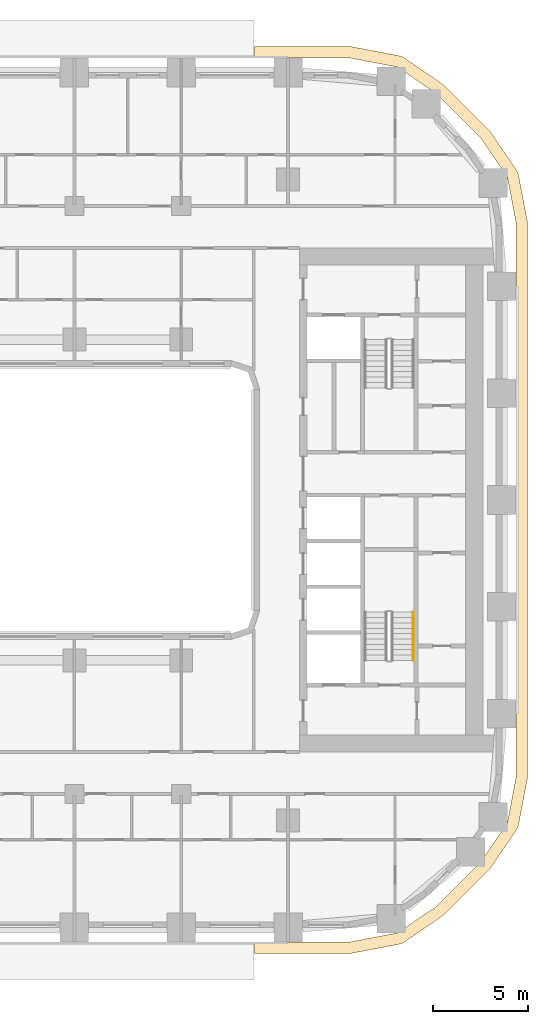
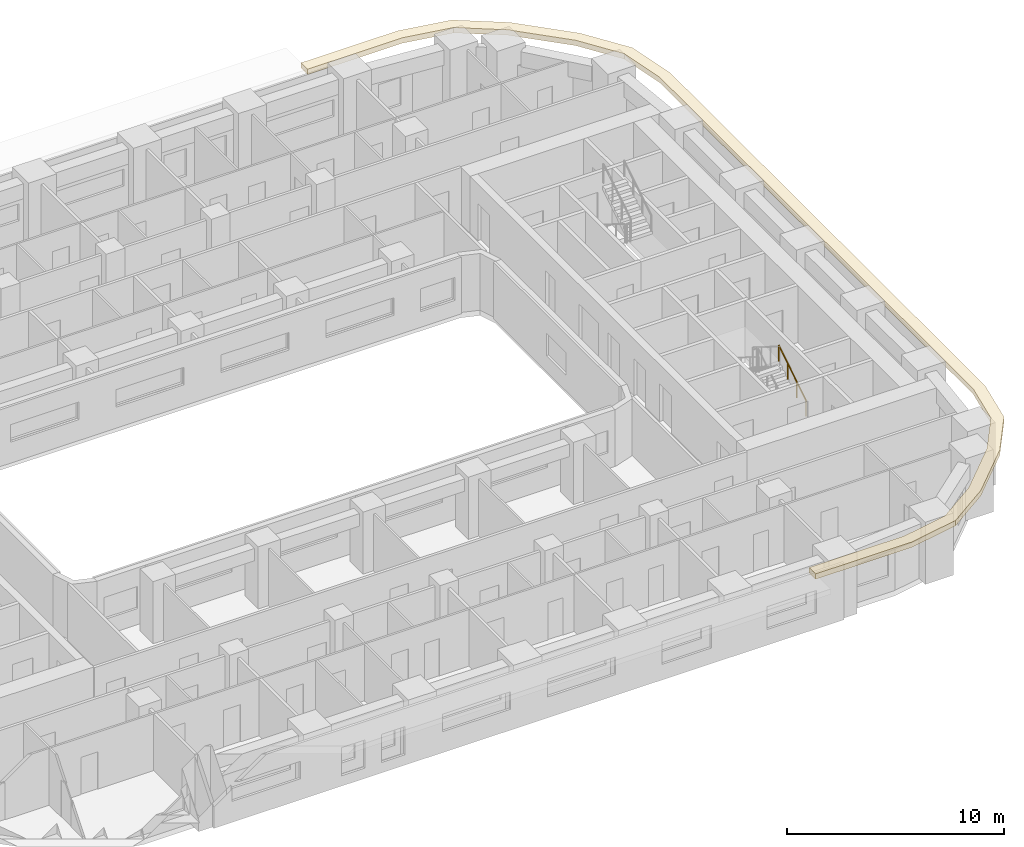
# One storey, part 17 of 21: 1 covering, 1 railing.
"""IFC4 building model written with IfcOpenShell, lengths in metres."""

from ifc_helpers import new_model, si_unit, direction, frame, origin, origin_2d, place, context, subcontext, project, spatial, polyline, circle, outline, extrude, material, layer, layer_set, type_object, element, save


model = new_model("IFC4")

# Units and contexts
model_context = context("Model", 3, precision=1e-05, world=origin(), true_north=direction((0.0, 1.0)))
body_context = subcontext(model_context, "Body", "Model", "MODEL_VIEW")
ifc_project = project(units=[si_unit("LENGTHUNIT", "METRE"), si_unit("AREAUNIT", "SQUARE_METRE"), si_unit("VOLUMEUNIT", "CUBIC_METRE"), si_unit("PLANEANGLEUNIT", "RADIAN"), si_unit("MASSUNIT", "GRAM", prefix="KILO")], contexts=[model_context])

# Site, building, storey
site_placement = place(None, origin())
site = spatial("IfcSite", under=ifc_project, at=site_placement, CompositionType="ELEMENT")
building_placement = place(site_placement, origin())
building = spatial("IfcBuilding", under=site, at=building_placement, Name="Kiln Ring Residences", CompositionType="ELEMENT")
storey_placement = place(building_placement, frame((0.0, 0.0, 41.0)))
storey = spatial("IfcBuildingStorey", under=building, at=storey_placement, Name="L09", CompositionType="ELEMENT", Elevation=41.0)

# Railing
ifc_material_1 = material(Name="Stainless steel", Category="steel")
railing_type = type_object("IfcRailingType", Name="CORE-STAIR-HANDRAIL", PredefinedType="HANDRAIL", material=ifc_material_1)
railing_placement = place(storey_placement, frame((23.35009765625, -8.39990234375, 0.175048828125)))
element("IfcRailing", 1, at=railing_placement, inside=storey, type_object=railing_type, Name="L09 E-STS stair handrail 1", PredefinedType="HANDRAIL", context=body_context, shape_type="SweptSolid", body=[
    extrude(circle(Radius=0.02392578125, at=origin_2d()), frame((0.0, 0.0, 0.8759765625), z_axis=(0.0, 0.848007534815, 0.529984170421), x_axis=(-1.0, 0.0, 0.0)), (0.0, 0.0, 1.0), 2.9716796875),
    extrude(circle(Radius=0.02099609375, at=origin_2d()), origin(), (0.0, 0.0, 1.0), 0.851806640625),
    extrude(circle(Radius=0.02099609375, at=origin_2d()), frame((0.0, 0.840087890625, 0.52490234375)), (0.0, 0.0, 1.0), 0.851806640625),
    extrude(circle(Radius=0.02099609375, at=origin_2d()), frame((0.0, 1.679931640625, 1.050048828125)), (0.0, 0.0, 1.0), 0.851806640625),
    extrude(circle(Radius=0.02099609375, at=origin_2d()), frame((0.0, 2.52001953125, 1.574951171875)), (0.0, 0.0, 1.0), 0.851806640625),
])

# Covering
ifc_material_2 = material(Name="Black powder-coated steel", Category="steel")
ifc_layer = layer(ifc_material_2, 0.300048828125)
ifc_layer_set = layer_set([ifc_layer], Name="SUNSHADE FIN 600")
covering_type = type_object("IfcCoveringType", Name="SUNSHADE FIN 600", PredefinedType="CLADDING", material=ifc_layer_set)
covering_placement = place(storey_placement, frame((0.0, 0.0, 3.199951171875)))
element("IfcCovering", 2, at=covering_placement, inside=storey, type_object=covering_type, Name="SUNSHADE FIN L09", PredefinedType="CLADDING", context=body_context, shape_type="SweptSolid", body=[
    extrude(outline(polyline([(20.127685546875, 23.75), (15.0, 23.75), (15.0, 23.14990234375), (20.07080078125, 23.14990234375), (22.517333984375, 22.683349609375), (24.577392578125, 21.283447265625), (26.88330078125, 18.977294921875), (28.283447265625, 16.91748046875), (28.75, 14.470947265625), (28.75, -14.470947265625), (28.283447265625, -16.91748046875), (26.88330078125, -18.977294921875), (24.577392578125, -21.283447265625), (22.517333984375, -22.683349609375), (20.07080078125, -23.14990234375), (15.0, -23.14990234375), (15.0, -23.75), (20.127685546875, -23.75), (22.751953125, -23.24951171875), (24.96142578125, -21.747802734375), (27.347900390625, -19.361328125), (28.849365234375, -17.15185546875), (29.35009765625, -14.527587890625), (29.35009765625, 14.527587890625), (28.849365234375, 17.15185546875), (27.347900390625, 19.361328125), (24.96142578125, 21.747802734375), (22.751953125, 23.24951171875), (20.127685546875, 23.75)])), origin(), (0.0, 0.0, 1.0), 0.300048828125),
])

save(model, "model.ifc")
